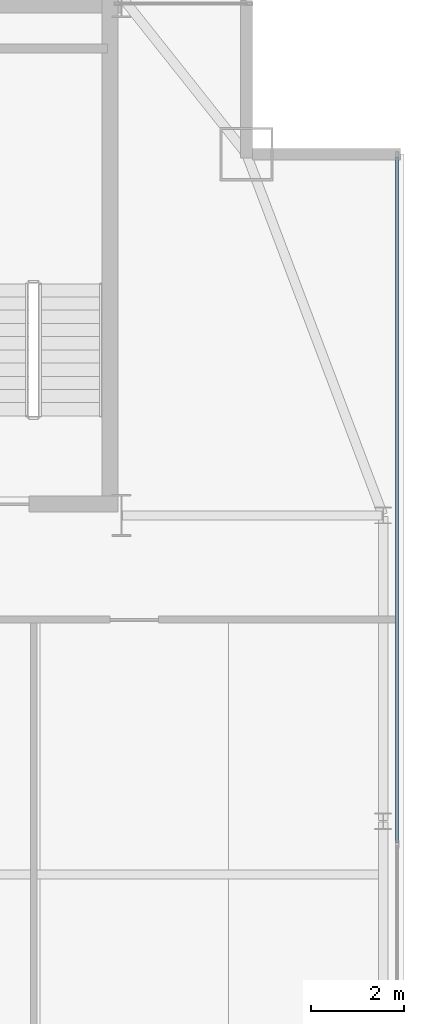
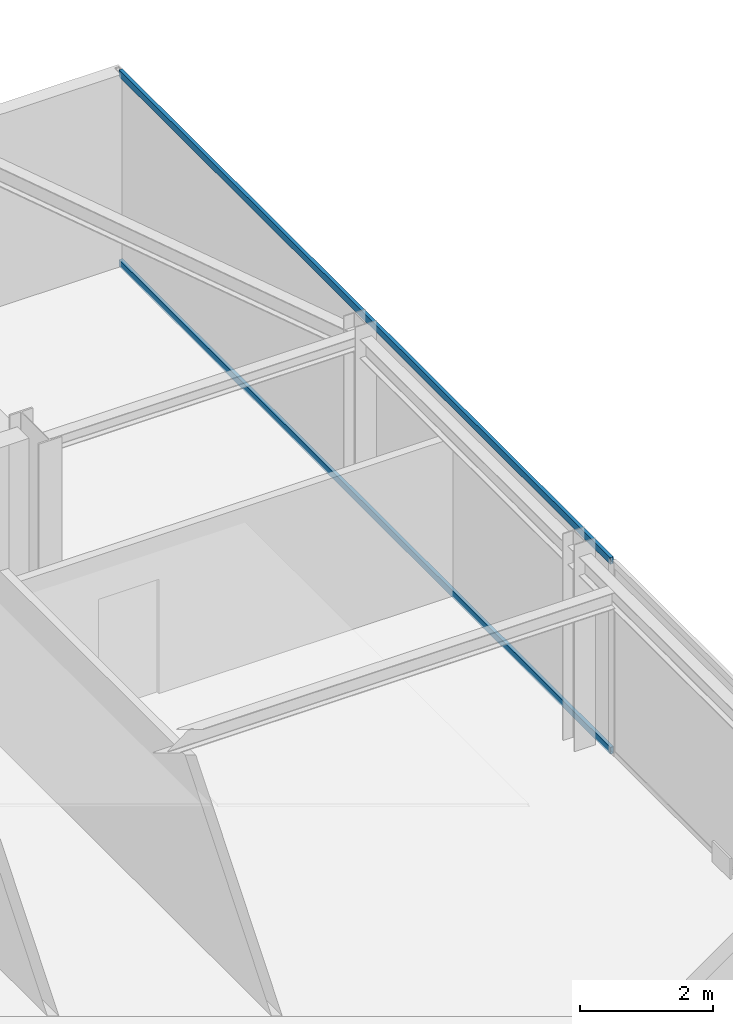
# One storey, part 20 of 30: 2 members, 1 element without a shape of its own.
"""IFC4 building model written with IfcOpenShell, lengths in metres."""

import ifcopenshell
import ifcopenshell.guid

model = None  # the IFC model being written
_history = None  # IfcOwnerHistory: only IFC2X3 demands one
_inside = {}  # id of a spatial element -> (the spatial element, [elements in it])
_under = {}  # id of a project, library or spatial element -> (it, [spatial elements below it])
_declared = {}  # id of a project -> (the project, [libraries it declares])
_typed = {}  # id of a type object -> (the type object, [elements of that type])
_made_of = {}  # id of a material, layer set ... -> (it, [elements and type objects made of it])


def new_model(schema):
    """Start an empty IFC model of exactly this schema.

    Asked for "IFC4X3", IfcOpenShell would pick the latest addendum, in which some entities
    have other attributes; the version numbers below select the first issue.
    IFC2X3 requires an IfcOwnerHistory on every rooted entity: one is made here for all.
    """
    global model, _history
    if schema == "IFC4X3":
        model = ifcopenshell.file(schema_version=(4, 3, 0, 0))
    else:
        model = ifcopenshell.file(schema=schema)
    _inside.clear()
    _under.clear()
    _declared.clear()
    _typed.clear()
    _made_of.clear()
    _history = None
    if model.schema == "IFC2X3":
        org = make("IfcOrganization", Name="unknown")
        user = make(
            "IfcPersonAndOrganization",
            ThePerson=make("IfcPerson", FamilyName="unknown"),
            TheOrganization=org,
        )
        app = make(
            "IfcApplication",
            ApplicationDeveloper=org,
            Version="unknown",
            ApplicationFullName="unknown",
            ApplicationIdentifier="unknown",
        )
        _history = make(
            "IfcOwnerHistory",
            OwningUser=user,
            OwningApplication=app,
            ChangeAction="ADDED",
            CreationDate=0,
        )
    return model


def make(cls, **values):
    """One entity of the class cls with the attributes given. An attribute that is None is left unset."""
    return model.create_entity(
        cls, **{name: value for name, value in values.items() if value is not None}
    )


def rooted(cls, **values):
    """An entity with a GlobalId (a new one), such as an element, a storey or a relation."""
    return make(cls, GlobalId=ifcopenshell.guid.new(), OwnerHistory=_history, **values)


def si_unit(unit_type, name, prefix=None):
    """IfcSIUnit, for example si_unit("LENGTHUNIT", "METRE", prefix="MILLI")."""
    return make("IfcSIUnit", UnitType=unit_type, Prefix=prefix, Name=name)


def assignment(units):
    """IfcUnitAssignment: the units of a project."""
    return None if units is None else make("IfcUnitAssignment", Units=units)


def point(xyz):
    """IfcCartesianPoint."""
    return None if xyz is None else make("IfcCartesianPoint", Coordinates=xyz)


def direction(xyz):
    """IfcDirection."""
    return None if xyz is None else make("IfcDirection", DirectionRatios=xyz)


def frame(location, z_axis=None, x_axis=None):
    """IfcAxis2Placement3D, a coordinate frame: its origin and axes. An axis left out is left unset."""
    return make(
        "IfcAxis2Placement3D",
        Location=point(location),
        Axis=direction(z_axis),
        RefDirection=direction(x_axis),
    )


def frame_2d(location, x_axis=None):
    """IfcAxis2Placement2D, a coordinate frame in the plane: its origin and x axis."""
    return make(
        "IfcAxis2Placement2D", Location=point(location), RefDirection=direction(x_axis)
    )


def origin():
    """The frame at (0, 0, 0) with its axes left unset."""
    return frame((0.0, 0.0, 0.0))


def origin_2d():
    """The frame at (0, 0) in the plane with its x axis left unset."""
    return frame_2d((0.0, 0.0))


def place(relative_to, where):
    """IfcLocalPlacement: puts the frame where relative to a parent placement (None: the world)."""
    return make(
        "IfcLocalPlacement", PlacementRelTo=relative_to, RelativePlacement=where
    )


def context(
    kind, dimensions, precision=None, world=None, true_north=None, identifier=None
):
    """IfcGeometricRepresentationContext, for example the 3D "Model" context."""
    return make(
        "IfcGeometricRepresentationContext",
        ContextIdentifier=identifier,
        ContextType=kind,
        CoordinateSpaceDimension=dimensions,
        Precision=precision,
        WorldCoordinateSystem=world,
        TrueNorth=true_north,
    )


def subcontext(parent, identifier, kind, view, scale=None):
    """IfcGeometricRepresentationSubContext, for example "Body" below "Model"."""
    return make(
        "IfcGeometricRepresentationSubContext",
        ContextIdentifier=identifier,
        ContextType=kind,
        ParentContext=parent,
        TargetScale=scale,
        TargetView=view,
    )


def project(units=None, contexts=None):
    """IfcProject with its units and contexts."""
    return rooted(
        "IfcProject",
        Name="project",
        RepresentationContexts=contexts,
        UnitsInContext=assignment(units),
    )


def spatial(cls, under=None, at=None, **own):
    """A site, building, storey or space (cls), placed at a placement, below another one or the project."""
    s = rooted(cls, ObjectPlacement=at, **own)
    if under is not None:
        _under.setdefault(under.id(), (under, []))[1].append(s)
    return s


def profile(cls, at=None, kind="AREA", **sizes):
    """A parametric profile (cls). Its sizes go by their IFC names, for example OverallWidth=200.0."""
    return make(cls, ProfileType=kind, Position=at, **sizes)


def hollow_rectangle(**sizes):
    """IfcRectangleHollowProfileDef."""
    return profile("IfcRectangleHollowProfileDef", **sizes)


def extrude(swept, where, along, depth):
    """IfcExtrudedAreaSolid: the profile swept, set in the frame where, extruded along a direction by depth."""
    return make(
        "IfcExtrudedAreaSolid",
        SweptArea=swept,
        Position=where,
        ExtrudedDirection=direction(along),
        Depth=depth,
    )


def shape(context_of_items, identifier, shape_type, items):
    """IfcShapeRepresentation: the items that make up one representation, for example the "Body"."""
    return make(
        "IfcShapeRepresentation",
        ContextOfItems=context_of_items,
        RepresentationIdentifier=identifier,
        RepresentationType=shape_type,
        Items=items,
    )


def source(mapping_origin, context_of_items, identifier, shape_type, items):
    """IfcRepresentationMap: a shape defined once, which mapped items show again and again."""
    return make(
        "IfcRepresentationMap",
        MappingOrigin=mapping_origin,
        MappedRepresentation=shape(context_of_items, identifier, shape_type, items),
    )


def transform(
    local_origin,
    x_axis=None,
    y_axis=None,
    z_axis=None,
    scale=None,
    scale2=None,
    scale3=None,
    uniform=True,
):
    """IfcCartesianTransformationOperator3D, or its non-uniform kind. x_axis, y_axis, z_axis: its Axis1, 2, 3."""
    if uniform:
        return make(
            "IfcCartesianTransformationOperator3D",
            Axis1=direction(x_axis),
            Axis2=direction(y_axis),
            LocalOrigin=point(local_origin),
            Scale=scale,
            Axis3=direction(z_axis),
        )
    return make(
        "IfcCartesianTransformationOperator3DnonUniform",
        Axis1=direction(x_axis),
        Axis2=direction(y_axis),
        LocalOrigin=point(local_origin),
        Scale=scale,
        Axis3=direction(z_axis),
        Scale2=scale2,
        Scale3=scale3,
    )


def mapped(mapping_source, mapping_target):
    """IfcMappedItem: shows the shape of a source again, moved by a transform."""
    return make(
        "IfcMappedItem", MappingSource=mapping_source, MappingTarget=mapping_target
    )


def material(Name=None, Category=None):
    """IfcMaterial."""
    return make("IfcMaterial", Name=Name, Category=Category)


def layer(
    of_material, thickness, ventilated=None, Name=None, Category=None, Priority=None
):
    """IfcMaterialLayer: one layer of a wall or slab, of a material (None: an air gap)."""
    return make(
        "IfcMaterialLayer",
        Material=of_material,
        LayerThickness=thickness,
        IsVentilated=ventilated,
        Name=Name,
        Category=Category,
        Priority=Priority,
    )


def layer_set(layers, Name=None):
    """IfcMaterialLayerSet."""
    return make("IfcMaterialLayerSet", MaterialLayers=layers, LayerSetName=Name)


def material_profile(
    of_material, cross_section, Name=None, Category=None, Priority=None
):
    """IfcMaterialProfile: a cross section and its material."""
    return make(
        "IfcMaterialProfile",
        Name=Name,
        Material=of_material,
        Profile=cross_section,
        Priority=Priority,
        Category=Category,
    )


def profile_set(profiles, Name=None, composite=None):
    """IfcMaterialProfileSet."""
    return make(
        "IfcMaterialProfileSet",
        Name=Name,
        MaterialProfiles=profiles,
        CompositeProfile=composite,
    )


def made_of(thing, what):
    """Note that an element or type object is made of a material, layer set ...; save() writes the relation."""
    if what is not None:
        _made_of.setdefault(what.id(), (what, []))[1].append(thing)
    return thing


def type_object(cls, material=None, **own):
    """A type object (cls), such as IfcWallType, which elements share."""
    return made_of(rooted(cls, **own), material)


def type_shapes(of_type, sources):
    """Give a type object the sources (RepresentationMaps) that its elements show as mapped items."""
    of_type.RepresentationMaps = sources


def element(
    cls,
    number,
    at=None,
    inside=None,
    cuts=None,
    type_object=None,
    material=None,
    context=None,
    identifier="Body",
    shape_type=None,
    held_by="IfcProductDefinitionShape",
    body=None,
    shapes=None,
    **own,
):
    """One element of the class cls, such as IfcWall. Its Tag is "e" and its number.

    at: its placement. inside: the storey or other place that contains it. cuts: it is an
    opening in that element (IfcRelVoidsElement). A single representation is given by context,
    identifier, shape_type and body (its items); several are given by shapes. held_by: the class
    of the entity that holds the representations. save() writes the other relations.
    """
    e = rooted(cls, Tag="e%d" % number, ObjectPlacement=at, **own)
    if body is not None:
        shapes = [shape(context, identifier, shape_type, body)]
    if shapes is not None:
        e.Representation = make(held_by, Representations=shapes)
    if inside is not None:
        _inside.setdefault(inside.id(), (inside, []))[1].append(e)
    if cuts is not None:
        rooted(
            "IfcRelVoidsElement", RelatingBuildingElement=cuts, RelatedOpeningElement=e
        )
    if type_object is not None:
        _typed.setdefault(type_object.id(), (type_object, []))[1].append(e)
    return made_of(e, material)


def aggregate(whole, parts):
    """IfcRelAggregates: a whole, such as a stair, and the parts it consists of."""
    return rooted("IfcRelAggregates", RelatingObject=whole, RelatedObjects=parts)


def save(model, path):
    """Write the relations noted so far, then the file.

    IfcRelAggregates (storeys below a building ...), IfcRelContainedInSpatialStructure (elements
    in a storey), IfcRelDefinesByType, IfcRelAssociatesMaterial and IfcRelDeclares: one each for
    every whole, place, type object, material and project.
    """
    for whole, parts in _under.values():
        aggregate(whole, parts)
    for where, things in _inside.values():
        rooted(
            "IfcRelContainedInSpatialStructure",
            RelatedElements=things,
            RelatingStructure=where,
        )
    for kind, things in _typed.values():
        rooted("IfcRelDefinesByType", RelatedObjects=things, RelatingType=kind)
    for what, things in _made_of.values():
        rooted("IfcRelAssociatesMaterial", RelatedObjects=things, RelatingMaterial=what)
    for by, libraries in _declared.values():
        rooted("IfcRelDeclares", RelatingContext=by, RelatedDefinitions=libraries)
    model.write(path)


model = new_model("IFC4")

# Units and contexts
model_context = context("Model", 3, precision=1e-05, world=origin(), true_north=direction((0.0, 1.0)))
body_context = subcontext(model_context, "Body", "Model", "MODEL_VIEW")
ifc_project = project(units=[si_unit("LENGTHUNIT", "METRE"), si_unit("AREAUNIT", "SQUARE_METRE"), si_unit("VOLUMEUNIT", "CUBIC_METRE"), si_unit("PLANEANGLEUNIT", "RADIAN"), si_unit("MASSUNIT", "GRAM", prefix="KILO")], contexts=[model_context])

# Site, building, storey
site_placement = place(None, origin())
site = spatial("IfcSite", under=ifc_project, at=site_placement, CompositionType="ELEMENT")
building_placement = place(site_placement, origin())
building = spatial("IfcBuilding", under=site, at=building_placement, Name="Varnel Quay Broadcast Tower", CompositionType="ELEMENT")
storey_placement = place(building_placement, frame((0.0, 0.0, 247.0)))
storey = spatial("IfcBuildingStorey", under=building, at=storey_placement, Name="L61", CompositionType="ELEMENT", Elevation=247.0)

# Curtain wall, members
ifc_material = material(Name="Anodised Bronze Aluminium 6063-T6", Category="aluminium")
ifc_layer = layer(ifc_material, 0.18994140625, Name="Anodised Bronze Aluminium 6063-T6")
ifc_layer_set = layer_set([ifc_layer], Name="Anodised Bronze Aluminium 6063-T6")
curtain_wall_type = type_object("IfcCurtainWallType", Name="CW_UpperTower", PredefinedType="NOTDEFINED", material=ifc_layer_set)
curtain_wall_placement = place(storey_placement, origin())
curtain_wall = element("IfcCurtainWall", 1, at=curtain_wall_placement, inside=storey, type_object=curtain_wall_type, Name="L61 East Unitised Curtain Wall", PredefinedType="NOTDEFINED")
ifc_material_profile = material_profile(ifc_material, hollow_rectangle(XDim=0.06005859375, YDim=0.125, WallThickness=0.0029296875, at=origin_2d()), Name="ALU60X125X3")
ifc_profile_set = profile_set([ifc_material_profile], Name="Anodised Bronze Aluminium 6063-T6")
member_type = type_object("IfcMemberType", Name="Tran_CWS-03", PredefinedType="USERDEFINED", material=ifc_profile_set)
shared_shape = source(origin(), body_context, "Body", "SweptSolid", [
    extrude(hollow_rectangle(XDim=0.06005859375, YDim=0.125, WallThickness=0.0029296875, at=origin_2d()), origin(), (0.0, 0.0, 1.0), 14.802490234375),
])
type_shapes(member_type, [shared_shape])
member_1_placement = place(storey_placement, frame((58.35009765625, 28.532470703125, 0.030029296875), z_axis=(0.0, 1.0, 0.0), x_axis=(-1.0, 0.0, 0.0)))
member_1 = element("IfcMember", 2, at=member_1_placement, type_object=member_type, Name="CWS-03 transom 2.1", ObjectType="TRANSOM", PredefinedType="USERDEFINED", context=body_context, shape_type="MappedRepresentation", body=[
    mapped(shared_shape, transform((0.0, 0.0, 0.0), x_axis=(1.0, 0.0, 0.0), y_axis=(0.0, 1.0, 0.0), z_axis=(0.0, 0.0, 1.0), scale=1.0)),
])
member_2_placement = place(storey_placement, frame((58.35009765625, 28.532470703125, 3.52001953125), z_axis=(0.0, 1.0, 0.0), x_axis=(-1.0, 0.0, 0.0)))
member_2 = element("IfcMember", 3, at=member_2_placement, type_object=member_type, Name="CWS-03 transom 2.2", ObjectType="TRANSOM", PredefinedType="USERDEFINED", context=body_context, shape_type="MappedRepresentation", body=[
    mapped(shared_shape, transform((0.0, 0.0, 0.0), x_axis=(1.0, 0.0, 0.0), y_axis=(0.0, 1.0, 0.0), z_axis=(0.0, 0.0, 1.0), scale=1.0)),
])
aggregate(curtain_wall, [member_1, member_2])

save(model, "model.ifc")
